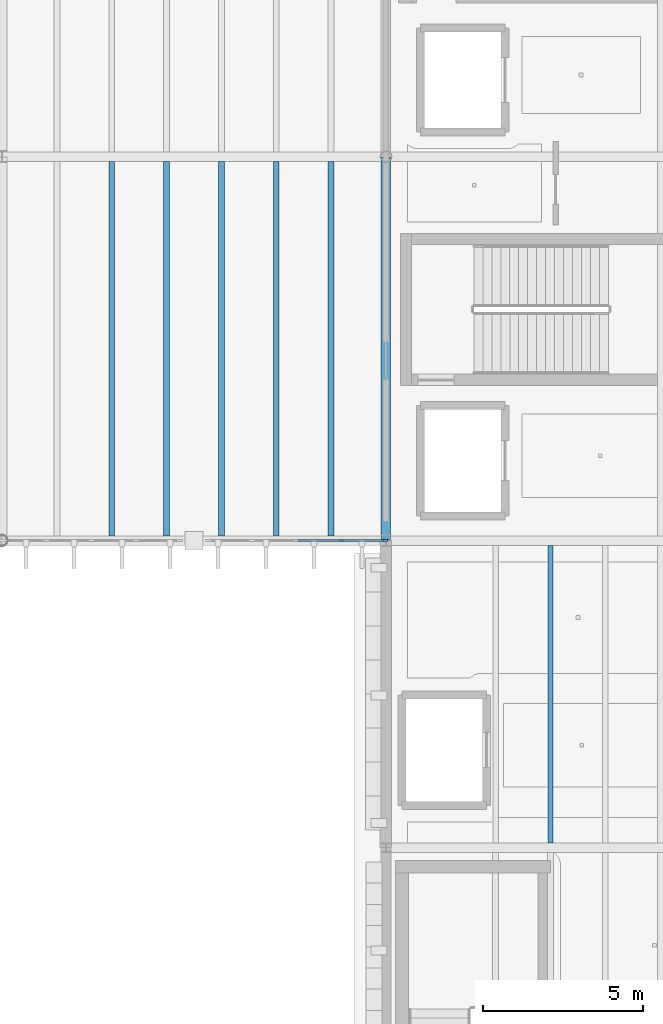
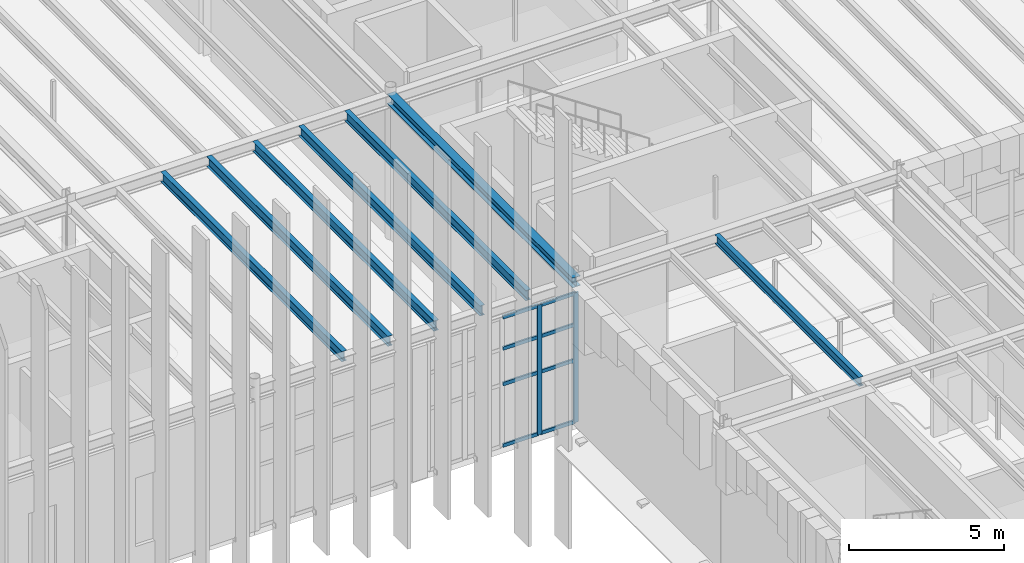
# One storey, part 26 of 83: 10 members, 7 beams, 1 element without a shape of its own.
"""IFC4 building model written with IfcOpenShell, lengths in metres."""

from ifc_helpers import new_model, si_unit, direction, frame, origin, origin_2d, place, context, subcontext, project, spatial, rectangle, i_section, extrude, material, layer, layer_set, material_profile, profile_set, type_object, element, aggregate, save


model = new_model("IFC4")

# Units and contexts
model_context = context("Model", 3, precision=1e-05, world=origin(), true_north=direction((0.0, 1.0)))
body_context = subcontext(model_context, "Body", "Model", "MODEL_VIEW")
ifc_project = project(units=[si_unit("LENGTHUNIT", "METRE"), si_unit("AREAUNIT", "SQUARE_METRE"), si_unit("VOLUMEUNIT", "CUBIC_METRE"), si_unit("PLANEANGLEUNIT", "RADIAN"), si_unit("MASSUNIT", "GRAM", prefix="KILO")], contexts=[model_context])

# Site, building, storey
site_placement = place(None, origin())
site = spatial("IfcSite", under=ifc_project, at=site_placement, CompositionType="ELEMENT")
building_placement = place(site_placement, origin())
building = spatial("IfcBuilding", under=site, at=building_placement, Name="Zlatogorsky Bluff Art Gallery", CompositionType="ELEMENT")
storey_placement = place(building_placement, frame((0.0, 0.0, 10.800048828125)))
storey = spatial("IfcBuildingStorey", under=building, at=storey_placement, Name="L02", CompositionType="ELEMENT", Elevation=10.800048828125)

# Beams
ifc_material_1 = material(Name="Steel S355", Category="steel")
ifc_material_profile_1 = material_profile(ifc_material_1, i_section(OverallWidth=0.300048828125, OverallDepth=0.389892578125, WebThickness=0.010986328125, FlangeThickness=0.01904296875, FilletRadius=0.027099609375, at=origin_2d()), Name="HEA 400")
ifc_profile_set_1 = profile_set([ifc_material_profile_1], Name="Steel S355")
beam_type_1 = type_object("IfcBeamType", Name="Beam BM-09 HEA 400", PredefinedType="BEAM", material=ifc_profile_set_1)
beam_1_placement = place(storey_placement, frame((120.0, 84.014892578125, 5.494873046875), z_axis=(0.0, 1.0, 0.0), x_axis=(-1.0, 0.0, 0.0)))
element("IfcBeam", 1, at=beam_1_placement, inside=storey, type_object=beam_type_1, Name="Primary girder BM-09 L02 L/9-10", PredefinedType="BEAM", context=body_context, shape_type="SweptSolid", body=[
    extrude(i_section(OverallWidth=0.300048828125, OverallDepth=0.389892578125, WebThickness=0.010986328125, FlangeThickness=0.01904296875, FilletRadius=0.027099609375, at=origin_2d()), origin(), (0.0, 0.0, 1.0), 11.97021484375),
])
ifc_material_profile_2 = material_profile(ifc_material_1, i_section(OverallWidth=0.169921875, OverallDepth=0.360107421875, WebThickness=0.008056640625, FlangeThickness=0.0126953125, FilletRadius=0.01806640625, at=origin_2d()), Name="IPE 360")
ifc_profile_set_2 = profile_set([ifc_material_profile_2], Name="Steel S355")
beam_type_2 = type_object("IfcBeamType", Name="Beam JS-04 IPE 360", PredefinedType="JOIST", material=ifc_profile_set_2)
beam_2_placement = place(storey_placement, frame((125.142822265625, 74.550048828125, 5.510009765625), z_axis=(0.0, 1.0, 0.0), x_axis=(-1.0, 0.0, 0.0)))
element("IfcBeam", 2, at=beam_2_placement, inside=storey, type_object=beam_type_2, Name="Composite floor joist JS-04 L02 10.07.3", PredefinedType="JOIST", context=body_context, shape_type="SweptSolid", body=[
    extrude(i_section(OverallWidth=0.169921875, OverallDepth=0.360107421875, WebThickness=0.008056640625, FlangeThickness=0.0126953125, FilletRadius=0.01806640625, at=origin_2d()), origin(), (0.0, 0.0, 1.0), 9.300048828125),
])
ifc_material_profile_3 = material_profile(ifc_material_1, i_section(OverallWidth=0.179931640625, OverallDepth=0.39990234375, WebThickness=0.008544921875, FlangeThickness=0.013427734375, FilletRadius=0.02099609375, at=origin_2d()), Name="IPE 400")
ifc_profile_set_3 = profile_set([ifc_material_profile_3], Name="Steel S355")
beam_type_3 = type_object("IfcBeamType", Name="Beam JS-05 IPE 400", PredefinedType="JOIST", material=ifc_profile_set_3)
for number, where, z_axis, x_axis, name in (
    (3, (111.428466796875, 84.14990234375, 5.489990234375), (0.0, 1.0, 0.0), (-1.0, 0.0, 0.0), "Composite floor joist JS-05 L02 09.08.2"),
    (4, (113.142822265625, 84.14990234375, 5.489990234375), (0.0, 1.0, 0.0), (-1.0, 0.0, 0.0), "Composite floor joist JS-05 L02 09.08.3"),
    (5, (114.857177734375, 84.14990234375, 5.489990234375), (0.0, 1.0, 0.0), (-1.0, 0.0, 0.0), "Composite floor joist JS-05 L02 09.08.4"),
    (6, (116.571533203125, 84.14990234375, 5.489990234375), (0.0, 1.0, 0.0), (-1.0, 0.0, 0.0), "Composite floor joist JS-05 L02 09.08.5"),
    (7, (118.28564453125, 84.14990234375, 5.489990234375), (0.0, 1.0, 0.0), (-1.0, 0.0, 0.0), "Composite floor joist JS-05 L02 09.08.6"),
):
    element("IfcBeam", number, at=place(storey_placement, frame(where, z_axis=z_axis, x_axis=x_axis)), inside=storey, type_object=beam_type_3, Name=name, PredefinedType="JOIST", context=body_context, shape_type="SweptSolid", body=[
        extrude(i_section(OverallWidth=0.179931640625, OverallDepth=0.39990234375, WebThickness=0.008544921875, FlangeThickness=0.013427734375, FilletRadius=0.02099609375, at=origin_2d()), origin(), (0.0, 0.0, 1.0), 11.7001953125),
    ])

# Curtain wall, members
ifc_material_2 = material(Name="Anodised Bronze Aluminium and Low-Iron Triple Glazing", Category="aluminium")
ifc_layer = layer(ifc_material_2, 0.199951171875)
ifc_layer_set = layer_set([ifc_layer], Name="Curtain Wall CW-02")
curtain_wall_type = type_object("IfcCurtainWallType", Name="Curtain Wall CW-02", PredefinedType="USERDEFINED", material=ifc_layer_set)
curtain_wall_placement = place(storey_placement, origin())
curtain_wall = element("IfcCurtainWall", 8, at=curtain_wall_placement, inside=storey, type_object=curtain_wall_type, Name="Unitised curtain wall CW-02 L02 S 9.8-B", ObjectType="CURTAIN WALL", PredefinedType="USERDEFINED")
ifc_material_3 = material(Name="Anodised Bronze Aluminium", Category="aluminium")
ifc_material_profile_4 = material_profile(ifc_material_3, rectangle(XDim=0.06494140625, YDim=0.179931640625, at=origin_2d()), Name="ALU MULLION 65x180")
ifc_profile_set_4 = profile_set([ifc_material_profile_4], Name="Anodised Bronze Aluminium")
member_type_1 = type_object("IfcMemberType", Name="Curtain Mullion ML-01", PredefinedType="MULLION", material=ifc_profile_set_4)
member_1_placement = place(storey_placement, frame((118.60498046875, 84.0, 0.0), z_axis=(0.0, 0.0, 1.0), x_axis=(0.0, 1.0, 0.0)))
member_1 = element("IfcMember", 9, at=member_1_placement, type_object=member_type_1, Name="CW-02 mullion 4", PredefinedType="MULLION", context=body_context, shape_type="SweptSolid", body=[
    extrude(rectangle(XDim=0.06494140625, YDim=0.179931640625, at=origin_2d()), origin(), (0.0, 0.0, 1.0), 5.10986328125),
])
member_2_placement = place(storey_placement, frame((119.967529296875, 84.0, 0.0), z_axis=(0.0, 0.0, 1.0), x_axis=(0.0, 1.0, 0.0)))
member_2 = element("IfcMember", 10, at=member_2_placement, type_object=member_type_1, Name="CW-02 mullion 5", PredefinedType="MULLION", context=body_context, shape_type="SweptSolid", body=[
    extrude(rectangle(XDim=0.06494140625, YDim=0.179931640625, at=origin_2d()), origin(), (0.0, 0.0, 1.0), 5.10986328125),
])
ifc_material_profile_5 = material_profile(ifc_material_3, rectangle(XDim=0.06494140625, YDim=0.139892578125, at=origin_2d()), Name="ALU TRANSOM 65x140")
ifc_profile_set_5 = profile_set([ifc_material_profile_5], Name="Anodised Bronze Aluminium")
member_type_2 = type_object("IfcMemberType", Name="Curtain Transom TR-01", PredefinedType="USERDEFINED", material=ifc_profile_set_5)
member_3_placement = place(storey_placement, frame((117.242431640625, 84.0, 0.032470703125), z_axis=(1.0, 0.0, 0.0), x_axis=(0.0, 1.0, 0.0)))
member_3 = element("IfcMember", 11, at=member_3_placement, type_object=member_type_2, Name="CW-02 transom 3.1", ObjectType="TRANSOM", PredefinedType="USERDEFINED", context=body_context, shape_type="SweptSolid", body=[
    extrude(rectangle(XDim=0.06494140625, YDim=0.139892578125, at=origin_2d()), origin(), (0.0, 0.0, 1.0), 1.330078125),
])
member_4_placement = place(storey_placement, frame((117.242431640625, 84.0, 2.449951171875), z_axis=(1.0, 0.0, 0.0), x_axis=(0.0, 1.0, 0.0)))
member_4 = element("IfcMember", 12, at=member_4_placement, type_object=member_type_2, Name="CW-02 transom 3.2", ObjectType="TRANSOM", PredefinedType="USERDEFINED", context=body_context, shape_type="SweptSolid", body=[
    extrude(rectangle(XDim=0.06494140625, YDim=0.139892578125, at=origin_2d()), origin(), (0.0, 0.0, 1.0), 1.330078125),
])
member_5_placement = place(storey_placement, frame((117.242431640625, 84.0, 3.849853515625), z_axis=(1.0, 0.0, 0.0), x_axis=(0.0, 1.0, 0.0)))
member_5 = element("IfcMember", 13, at=member_5_placement, type_object=member_type_2, Name="CW-02 transom 3.3", ObjectType="TRANSOM", PredefinedType="USERDEFINED", context=body_context, shape_type="SweptSolid", body=[
    extrude(rectangle(XDim=0.06494140625, YDim=0.139892578125, at=origin_2d()), origin(), (0.0, 0.0, 1.0), 1.330078125),
])
member_6_placement = place(storey_placement, frame((117.242431640625, 84.0, 5.077392578125), z_axis=(1.0, 0.0, 0.0), x_axis=(0.0, 1.0, 0.0)))
member_6 = element("IfcMember", 14, at=member_6_placement, type_object=member_type_2, Name="CW-02 transom 3.4", ObjectType="TRANSOM", PredefinedType="USERDEFINED", context=body_context, shape_type="SweptSolid", body=[
    extrude(rectangle(XDim=0.06494140625, YDim=0.139892578125, at=origin_2d()), origin(), (0.0, 0.0, 1.0), 1.330078125),
])
member_7_placement = place(storey_placement, frame((118.637451171875, 84.0, 0.032470703125), z_axis=(1.0, 0.0, 0.0), x_axis=(0.0, 1.0, 0.0)))
member_7 = element("IfcMember", 15, at=member_7_placement, type_object=member_type_2, Name="CW-02 transom 4.1", ObjectType="TRANSOM", PredefinedType="USERDEFINED", context=body_context, shape_type="SweptSolid", body=[
    extrude(rectangle(XDim=0.06494140625, YDim=0.139892578125, at=origin_2d()), origin(), (0.0, 0.0, 1.0), 1.297607421875),
])
member_8_placement = place(storey_placement, frame((118.637451171875, 84.0, 2.449951171875), z_axis=(1.0, 0.0, 0.0), x_axis=(0.0, 1.0, 0.0)))
member_8 = element("IfcMember", 16, at=member_8_placement, type_object=member_type_2, Name="CW-02 transom 4.2", ObjectType="TRANSOM", PredefinedType="USERDEFINED", context=body_context, shape_type="SweptSolid", body=[
    extrude(rectangle(XDim=0.06494140625, YDim=0.139892578125, at=origin_2d()), origin(), (0.0, 0.0, 1.0), 1.297607421875),
])
member_9_placement = place(storey_placement, frame((118.637451171875, 84.0, 3.849853515625), z_axis=(1.0, 0.0, 0.0), x_axis=(0.0, 1.0, 0.0)))
member_9 = element("IfcMember", 17, at=member_9_placement, type_object=member_type_2, Name="CW-02 transom 4.3", ObjectType="TRANSOM", PredefinedType="USERDEFINED", context=body_context, shape_type="SweptSolid", body=[
    extrude(rectangle(XDim=0.06494140625, YDim=0.139892578125, at=origin_2d()), origin(), (0.0, 0.0, 1.0), 1.297607421875),
])
member_10_placement = place(storey_placement, frame((118.637451171875, 84.0, 5.077392578125), z_axis=(1.0, 0.0, 0.0), x_axis=(0.0, 1.0, 0.0)))
member_10 = element("IfcMember", 18, at=member_10_placement, type_object=member_type_2, Name="CW-02 transom 4.4", ObjectType="TRANSOM", PredefinedType="USERDEFINED", context=body_context, shape_type="SweptSolid", body=[
    extrude(rectangle(XDim=0.06494140625, YDim=0.139892578125, at=origin_2d()), origin(), (0.0, 0.0, 1.0), 1.297607421875),
])
aggregate(curtain_wall, [member_1, member_2, member_3, member_4, member_5, member_6, member_7, member_8, member_9, member_10])

save(model, "model.ifc")
